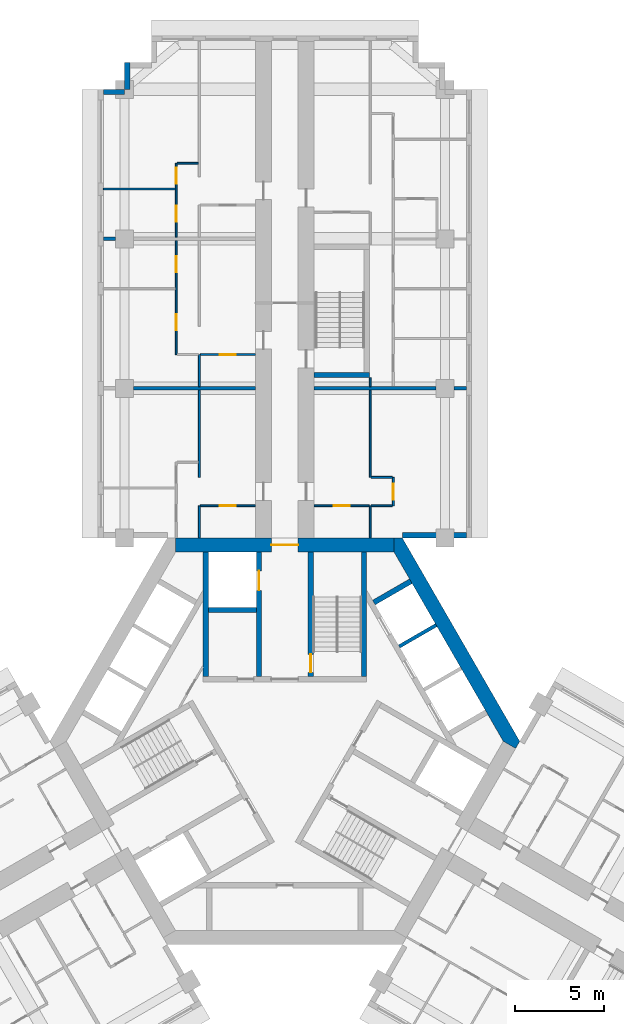
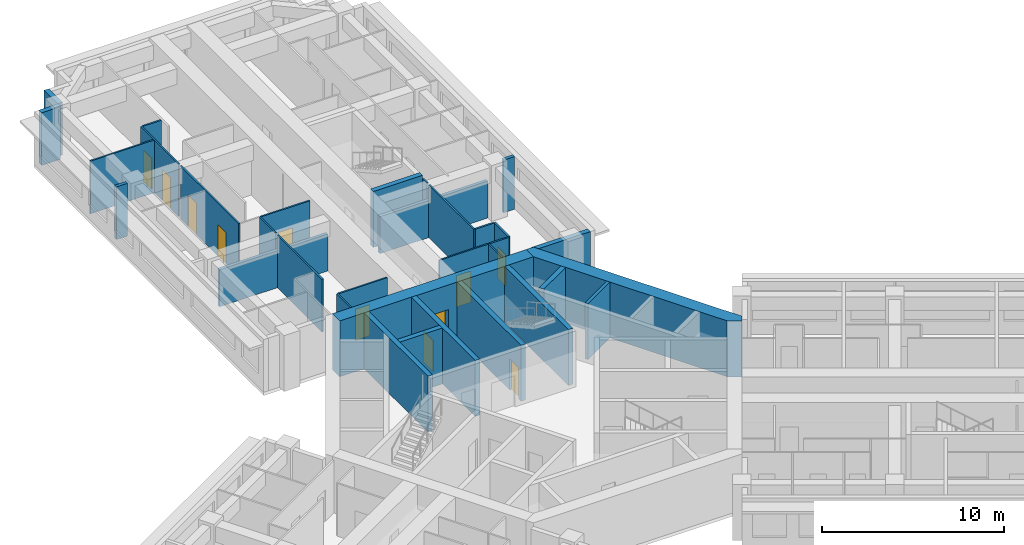
# One storey, part 9 of 14: 33 walls, 11 doors, 11 openings.
"""IFC4 building model written with IfcOpenShell, lengths in metres."""

from ifc_helpers import new_model, si_unit, direction, frame, frame_2d, origin, place, context, subcontext, project, spatial, polyline, rectangle, outline, extrude, material, layer, layer_set, type_object, element, fill, save


model = new_model("IFC4")

# Units and contexts
model_context = context("Model", 3, precision=1e-05, world=origin(), true_north=direction((0.0, 1.0)))
body_context = subcontext(model_context, "Body", "Model", "MODEL_VIEW")
ifc_project = project(units=[si_unit("LENGTHUNIT", "METRE"), si_unit("AREAUNIT", "SQUARE_METRE"), si_unit("VOLUMEUNIT", "CUBIC_METRE"), si_unit("PLANEANGLEUNIT", "RADIAN"), si_unit("MASSUNIT", "GRAM", prefix="KILO")], contexts=[model_context])

# Site, building, storey
site_placement = place(None, origin())
site = spatial("IfcSite", under=ifc_project, at=site_placement, CompositionType="ELEMENT")
building_placement = place(site_placement, origin())
building = spatial("IfcBuilding", under=site, at=building_placement, Name="Impinga Residences", CompositionType="ELEMENT")
storey_placement = place(building_placement, frame((0.0, 0.0, 158.5)))
storey = spatial("IfcBuildingStorey", under=building, at=storey_placement, Name="L39", CompositionType="ELEMENT", Elevation=158.5)

# Walls
ifc_material_1 = material(Name="Terracotta rainscreen on blockwork", Category="masonry")
ifc_layer_1 = layer(ifc_material_1, 0.300048828125)
ifc_layer_set_1 = layer_set([ifc_layer_1], Name="EW1 external wall, terracotta rainscreen on blockwork 300")
wall_type_1 = type_object("IfcWallType", Name="EW1 external wall, terracotta rainscreen on blockwork 300", PredefinedType="SOLIDWALL", material=ifc_layer_set_1)
wall_1_placement = place(storey_placement, frame((-10.199951171875, 36.4814453125, 0.0), z_axis=(0.0, 0.0, 1.0), x_axis=(1.0, 0.0, 0.0)))
element("IfcWall", 1, at=wall_1_placement, inside=storey, type_object=wall_type_1, Name="External wall EW1 L39", PredefinedType="SOLIDWALL", context=body_context, shape_type="SweptSolid", body=[
    extrude(rectangle(XDim=1.199951171875, YDim=0.300048828125, at=frame_2d((0.60009765625, 0.0))), origin(), (0.0, 0.0, 1.0), 3.530029296875),
])
wall_2_placement = place(storey_placement, frame((-8.85009765625, 36.636474609375, 0.0), z_axis=(0.0, 0.0, 1.0), x_axis=(0.0, 1.0, 0.0)))
element("IfcWall", 2, at=wall_2_placement, inside=storey, type_object=wall_type_1, Name="External wall EW1 L39", PredefinedType="SOLIDWALL", context=body_context, shape_type="SweptSolid", body=[
    extrude(rectangle(XDim=1.4951171875, YDim=0.300048828125, at=frame_2d((0.74755859375, 0.0))), origin(), (0.0, 0.0, 1.0), 3.530029296875),
])
wall_3_placement = place(storey_placement, frame((10.199951171875, 11.58154296875, 0.0), z_axis=(0.0, 0.0, 1.0), x_axis=(-1.0, 0.0, 0.0)))
element("IfcWall", 3, at=wall_3_placement, inside=storey, type_object=wall_type_1, Name="External wall EW1 L39", PredefinedType="SOLIDWALL", context=body_context, shape_type="SweptSolid", body=[
    extrude(rectangle(XDim=3.599853515625, YDim=0.300048828125, at=frame_2d((1.7998046875, 0.0))), origin(), (0.0, 0.0, 1.0), 3.530029296875),
])
ifc_material_2 = material(Name="Gypsum board on steel studs", Category="steel")
ifc_layer_2 = layer(ifc_material_2, 0.10009765625)
ifc_layer_set_2 = layer_set([ifc_layer_2], Name="Gypsum board on steel studs")
wall_type_2 = type_object("IfcWallType", Name="IP1 partition 100", PredefinedType="PARTITIONING", material=ifc_layer_set_2)
wall_4_placement = place(storey_placement, frame((-4.800048828125, 11.431640625, 0.0), z_axis=(0.0, 0.0, 1.0), x_axis=(0.0, 1.0, 0.0)))
element("IfcWall", 4, at=wall_4_placement, inside=storey, type_object=wall_type_2, Name="Partition L39-NA1:DIV0", PredefinedType="PARTITIONING", context=body_context, shape_type="SweptSolid", body=[
    extrude(rectangle(XDim=1.7998046875, YDim=0.10009765625, at=frame_2d((0.89990234375, 0.0))), origin(), (0.0, 0.0, 1.0), 3.530029296875),
])
wall_5_placement = place(storey_placement, frame((-4.800048828125, 14.83154296875, 0.0), z_axis=(0.0, 0.0, 1.0), x_axis=(0.0, 1.0, 0.0)))
element("IfcWall", 5, at=wall_5_placement, inside=storey, type_object=wall_type_2, Name="Partition L39-NA1:DIV1", PredefinedType="PARTITIONING", context=body_context, shape_type="SweptSolid", body=[
    extrude(rectangle(XDim=4.89990234375, YDim=0.10009765625, at=frame_2d((2.449951171875, 0.0))), origin(), (0.0, 0.0, 1.0), 3.530029296875),
])

# Wall, opening, door
wall_6_placement = place(storey_placement, frame((-1.64990234375, 13.2314453125, 0.0), z_axis=(0.0, 0.0, 1.0), x_axis=(-1.0, 0.0, 0.0)))
wall_6 = element("IfcWall", 6, at=wall_6_placement, inside=storey, type_object=wall_type_2, Name="Partition L39-NA1:IB1", PredefinedType="PARTITIONING", context=body_context, shape_type="SweptSolid", body=[
    extrude(rectangle(XDim=3.10009765625, YDim=0.10009765625, at=frame_2d((1.550048828125, 0.0))), origin(), (0.0, 0.0, 1.0), 3.530029296875),
])
opening_1_placement = place(wall_6_placement, frame((1.10009765625, 0.0, 0.0)))
opening_1 = element("IfcOpeningElement", 7, at=opening_1_placement, cuts=wall_6, Name="Opening D2", PredefinedType="OPENING", context=body_context, shape_type="SweptSolid", body=[
    extrude(rectangle(XDim=0.89990234375, YDim=2.10009765625, at=frame_2d((0.449951171875, 1.050048828125))), frame((0.0, 0.06005859375, 0.0), z_axis=(0.0, -1.0, 0.0), x_axis=(1.0, 0.0, 0.0)), (0.0, 0.0, 1.0), 0.1201171875),
])
ifc_material_3 = material(Name="Timber door set", Category="wood")
door_type_1 = type_object("IfcDoorType", Name="D2 internal door 900x2100", OperationType="SINGLE_SWING_LEFT", PredefinedType="DOOR", material=ifc_material_3)
door_1_placement = place(opening_1_placement, origin())
door_1 = element("IfcDoor", 8, at=door_1_placement, inside=storey, type_object=door_type_1, Name="Apartment L39-NA1 bathroom door", OperationType="SINGLE_SWING_LEFT", OverallHeight=2.10009765625, OverallWidth=0.89990234375, PredefinedType="DOOR", context=body_context, shape_type="SweptSolid", body=[
    extrude(rectangle(XDim=0.89990234375, YDim=2.10009765625, at=frame_2d((0.449951171875, 1.050048828125))), frame((0.0, 0.02490234375, 0.0), z_axis=(0.0, -1.0, 0.0), x_axis=(1.0, 0.0, 0.0)), (0.0, 0.0, 1.0), 0.050048828125),
])
fill(opening_1, door_1)

# Wall
wall_7_placement = place(storey_placement, frame((-4.800048828125, 19.931640625, 0.0), z_axis=(0.0, 0.0, 1.0), x_axis=(0.0, 1.0, 0.0)))
element("IfcWall", 9, at=wall_7_placement, inside=storey, type_object=wall_type_2, Name="Partition L39-NA2:DIV0", PredefinedType="PARTITIONING", context=body_context, shape_type="SweptSolid", body=[
    extrude(rectangle(XDim=1.7998046875, YDim=0.10009765625, at=frame_2d((0.89990234375, 0.0))), origin(), (0.0, 0.0, 1.0), 3.530029296875),
])

# Wall, openings, doors
wall_8_placement = place(storey_placement, frame((-6.10009765625, 21.7314453125, 0.0), z_axis=(0.0, 0.0, 1.0), x_axis=(0.0, 1.0, 0.0)))
wall_8 = element("IfcWall", 10, at=wall_8_placement, inside=storey, type_object=wall_type_2, Name="Partition L39-NA2:STRIP", PredefinedType="PARTITIONING", context=body_context, shape_type="SweptSolid", body=[
    extrude(rectangle(XDim=6.400146484375, YDim=0.10009765625, at=frame_2d((3.2001953125, 0.0))), origin(), (0.0, 0.0, 1.0), 3.530029296875),
])
opening_2_placement = place(wall_8_placement, frame((1.375, 0.0, 0.0)))
opening_2 = element("IfcOpeningElement", 11, at=opening_2_placement, cuts=wall_8, Name="Opening D2", PredefinedType="OPENING", context=body_context, shape_type="SweptSolid", body=[
    extrude(rectangle(XDim=0.89990234375, YDim=2.10009765625, at=frame_2d((0.449951171875, 1.050048828125))), frame((0.0, 0.06005859375, 0.0), z_axis=(0.0, -1.0, 0.0), x_axis=(1.0, 0.0, 0.0)), (0.0, 0.0, 1.0), 0.1201171875),
])
opening_3_placement = place(wall_8_placement, frame((4.625, 0.0, 0.0)))
opening_3 = element("IfcOpeningElement", 12, at=opening_3_placement, cuts=wall_8, Name="Opening D2", PredefinedType="OPENING", context=body_context, shape_type="SweptSolid", body=[
    extrude(rectangle(XDim=0.89990234375, YDim=2.10009765625, at=frame_2d((0.449951171875, 1.050048828125))), frame((0.0, 0.06005859375, 0.0), z_axis=(0.0, -1.0, 0.0), x_axis=(1.0, 0.0, 0.0)), (0.0, 0.0, 1.0), 0.1201171875),
])
door_2_placement = place(opening_2_placement, origin())
door_2 = element("IfcDoor", 13, at=door_2_placement, inside=storey, type_object=door_type_1, Name="Apartment L39-NA2 room door", OperationType="SINGLE_SWING_LEFT", OverallHeight=2.10009765625, OverallWidth=0.89990234375, PredefinedType="DOOR", context=body_context, shape_type="SweptSolid", body=[
    extrude(rectangle(XDim=0.89990234375, YDim=2.10009765625, at=frame_2d((0.449951171875, 1.050048828125))), frame((0.0, 0.02490234375, 0.0), z_axis=(0.0, -1.0, 0.0), x_axis=(1.0, 0.0, 0.0)), (0.0, 0.0, 1.0), 0.050048828125),
])
fill(opening_2, door_2)
door_3_placement = place(opening_3_placement, origin())
door_3 = element("IfcDoor", 14, at=door_3_placement, inside=storey, type_object=door_type_1, Name="Apartment L39-NA2 room door", OperationType="SINGLE_SWING_RIGHT", OverallHeight=2.10009765625, OverallWidth=0.89990234375, PredefinedType="DOOR", context=body_context, shape_type="SweptSolid", body=[
    extrude(rectangle(XDim=0.89990234375, YDim=2.10009765625, at=frame_2d((0.449951171875, 1.050048828125))), frame((0.0, 0.02490234375, 0.0), z_axis=(0.0, -1.0, 0.0), x_axis=(1.0, 0.0, 0.0)), (0.0, 0.0, 1.0), 0.050048828125),
])
fill(opening_3, door_3)

# Wall, opening, door
wall_9_placement = place(storey_placement, frame((-1.64990234375, 21.7314453125, 0.0), z_axis=(0.0, 0.0, 1.0), x_axis=(-1.0, 0.0, 0.0)))
wall_9 = element("IfcWall", 15, at=wall_9_placement, inside=storey, type_object=wall_type_2, Name="Partition L39-NA2:IB1", PredefinedType="PARTITIONING", context=body_context, shape_type="SweptSolid", body=[
    extrude(rectangle(XDim=3.10009765625, YDim=0.10009765625, at=frame_2d((1.550048828125, 0.0))), origin(), (0.0, 0.0, 1.0), 3.530029296875),
])
opening_4_placement = place(wall_9_placement, frame((1.10009765625, 0.0, 0.0)))
opening_4 = element("IfcOpeningElement", 16, at=opening_4_placement, cuts=wall_9, Name="Opening D2", PredefinedType="OPENING", context=body_context, shape_type="SweptSolid", body=[
    extrude(rectangle(XDim=0.89990234375, YDim=2.10009765625, at=frame_2d((0.449951171875, 1.050048828125))), frame((0.0, 0.06005859375, 0.0), z_axis=(0.0, -1.0, 0.0), x_axis=(1.0, 0.0, 0.0)), (0.0, 0.0, 1.0), 0.1201171875),
])
door_4_placement = place(opening_4_placement, origin())
door_4 = element("IfcDoor", 17, at=door_4_placement, inside=storey, type_object=door_type_1, Name="Apartment L39-NA2 bathroom door", OperationType="SINGLE_SWING_LEFT", OverallHeight=2.10009765625, OverallWidth=0.89990234375, PredefinedType="DOOR", context=body_context, shape_type="SweptSolid", body=[
    extrude(rectangle(XDim=0.89990234375, YDim=2.10009765625, at=frame_2d((0.449951171875, 1.050048828125))), frame((0.0, 0.02490234375, 0.0), z_axis=(0.0, -1.0, 0.0), x_axis=(1.0, 0.0, 0.0)), (0.0, 0.0, 1.0), 0.050048828125),
])
fill(opening_4, door_4)

# Wall, openings, doors
wall_10_placement = place(storey_placement, frame((-6.10009765625, 28.33154296875, 0.0), z_axis=(0.0, 0.0, 1.0), x_axis=(0.0, 1.0, 0.0)))
wall_10 = element("IfcWall", 18, at=wall_10_placement, inside=storey, type_object=wall_type_2, Name="Partition L39-NA3:STRIP", PredefinedType="PARTITIONING", context=body_context, shape_type="SweptSolid", body=[
    extrude(rectangle(XDim=4.14990234375, YDim=0.10009765625, at=frame_2d((2.074951171875, 0.0))), origin(), (0.0, 0.0, 1.0), 3.530029296875),
])
opening_5_placement = place(wall_10_placement, frame((0.875, 0.0, 0.0)))
opening_5 = element("IfcOpeningElement", 19, at=opening_5_placement, cuts=wall_10, Name="Opening D2", PredefinedType="OPENING", context=body_context, shape_type="SweptSolid", body=[
    extrude(rectangle(XDim=0.89990234375, YDim=2.10009765625, at=frame_2d((0.449951171875, 1.050048828125))), frame((0.0, 0.06005859375, 0.0), z_axis=(0.0, -1.0, 0.0), x_axis=(1.0, 0.0, 0.0)), (0.0, 0.0, 1.0), 0.1201171875),
])
opening_6_placement = place(wall_10_placement, frame((3.0, 0.0, 0.0)))
opening_6 = element("IfcOpeningElement", 20, at=opening_6_placement, cuts=wall_10, Name="Opening D2", PredefinedType="OPENING", context=body_context, shape_type="SweptSolid", body=[
    extrude(rectangle(XDim=0.89990234375, YDim=2.10009765625, at=frame_2d((0.449951171875, 1.050048828125))), frame((0.0, 0.06005859375, 0.0), z_axis=(0.0, -1.0, 0.0), x_axis=(1.0, 0.0, 0.0)), (0.0, 0.0, 1.0), 0.1201171875),
])
door_5_placement = place(opening_5_placement, origin())
door_5 = element("IfcDoor", 21, at=door_5_placement, inside=storey, type_object=door_type_1, Name="Apartment L39-NA3 room door", OperationType="SINGLE_SWING_LEFT", OverallHeight=2.10009765625, OverallWidth=0.89990234375, PredefinedType="DOOR", context=body_context, shape_type="SweptSolid", body=[
    extrude(rectangle(XDim=0.89990234375, YDim=2.10009765625, at=frame_2d((0.449951171875, 1.050048828125))), frame((0.0, 0.02490234375, 0.0), z_axis=(0.0, -1.0, 0.0), x_axis=(1.0, 0.0, 0.0)), (0.0, 0.0, 1.0), 0.050048828125),
])
fill(opening_5, door_5)
door_6_placement = place(opening_6_placement, origin())
door_6 = element("IfcDoor", 22, at=door_6_placement, inside=storey, type_object=door_type_1, Name="Apartment L39-NA3 room door", OperationType="SINGLE_SWING_RIGHT", OverallHeight=2.10009765625, OverallWidth=0.89990234375, PredefinedType="DOOR", context=body_context, shape_type="SweptSolid", body=[
    extrude(rectangle(XDim=0.89990234375, YDim=2.10009765625, at=frame_2d((0.449951171875, 1.050048828125))), frame((0.0, 0.02490234375, 0.0), z_axis=(0.0, -1.0, 0.0), x_axis=(1.0, 0.0, 0.0)), (0.0, 0.0, 1.0), 0.050048828125),
])
fill(opening_6, door_6)

# Walls
wall_11_placement = place(storey_placement, frame((-4.85009765625, 32.4814453125, 0.0), z_axis=(0.0, 0.0, 1.0), x_axis=(-1.0, 0.0, 0.0)))
element("IfcWall", 23, at=wall_11_placement, inside=storey, type_object=wall_type_2, Name="Partition L39-NA3:SE1", PredefinedType="PARTITIONING", context=body_context, shape_type="SweptSolid", body=[
    extrude(rectangle(XDim=1.199951171875, YDim=0.10009765625, at=frame_2d((0.60009765625, 0.0))), origin(), (0.0, 0.0, 1.0), 3.530029296875),
])
wall_12_placement = place(storey_placement, frame((-6.14990234375, 31.031494140625, 0.0), z_axis=(0.0, 0.0, 1.0), x_axis=(-1.0, 0.0, 0.0)))
element("IfcWall", 24, at=wall_12_placement, inside=storey, type_object=wall_type_2, Name="Partition L39-NA3:OB1", PredefinedType="PARTITIONING", context=body_context, shape_type="SweptSolid", body=[
    extrude(rectangle(XDim=4.050048828125, YDim=0.10009765625, at=frame_2d((2.02490234375, 0.0))), origin(), (0.0, 0.0, 1.0), 3.530029296875),
])
wall_13_placement = place(storey_placement, frame((4.800048828125, 11.431640625, 0.0), z_axis=(0.0, 0.0, 1.0), x_axis=(0.0, 1.0, 0.0)))
element("IfcWall", 25, at=wall_13_placement, inside=storey, type_object=wall_type_2, Name="Partition L39-NF1:DIV0", PredefinedType="PARTITIONING", context=body_context, shape_type="SweptSolid", body=[
    extrude(rectangle(XDim=1.7998046875, YDim=0.10009765625, at=frame_2d((0.89990234375, 0.0))), origin(), (0.0, 0.0, 1.0), 3.530029296875),
])
wall_14_placement = place(storey_placement, frame((4.800048828125, 14.83154296875, 0.0), z_axis=(0.0, 0.0, 1.0), x_axis=(0.0, 1.0, 0.0)))
element("IfcWall", 26, at=wall_14_placement, inside=storey, type_object=wall_type_2, Name="Partition L39-NF1:DIV1", PredefinedType="PARTITIONING", context=body_context, shape_type="SweptSolid", body=[
    extrude(rectangle(XDim=4.89990234375, YDim=0.10009765625, at=frame_2d((2.449951171875, 0.0))), origin(), (0.0, 0.0, 1.0), 3.530029296875),
])

# Wall, opening, door
wall_15_placement = place(storey_placement, frame((6.10009765625, 13.2314453125, 0.0), z_axis=(0.0, 0.0, 1.0), x_axis=(0.0, 1.0, 0.0)))
wall_15 = element("IfcWall", 27, at=wall_15_placement, inside=storey, type_object=wall_type_2, Name="Partition L39-NF1:STRIP", PredefinedType="PARTITIONING", context=body_context, shape_type="SweptSolid", body=[
    extrude(rectangle(XDim=1.60009765625, YDim=0.10009765625, at=frame_2d((0.800048828125, 0.0))), origin(), (0.0, 0.0, 1.0), 3.530029296875),
])
opening_7_placement = place(wall_15_placement, frame((0.35009765625, 0.0, 0.0)))
opening_7 = element("IfcOpeningElement", 28, at=opening_7_placement, cuts=wall_15, Name="Opening D2", PredefinedType="OPENING", context=body_context, shape_type="SweptSolid", body=[
    extrude(rectangle(XDim=0.89990234375, YDim=2.10009765625, at=frame_2d((0.449951171875, 1.050048828125))), frame((0.0, 0.06005859375, 0.0), z_axis=(0.0, -1.0, 0.0), x_axis=(1.0, 0.0, 0.0)), (0.0, 0.0, 1.0), 0.1201171875),
])
door_7_placement = place(opening_7_placement, origin())
door_7 = element("IfcDoor", 29, at=door_7_placement, inside=storey, type_object=door_type_1, Name="Apartment L39-NF1 room door", OperationType="SINGLE_SWING_LEFT", OverallHeight=2.10009765625, OverallWidth=0.89990234375, PredefinedType="DOOR", context=body_context, shape_type="SweptSolid", body=[
    extrude(rectangle(XDim=0.89990234375, YDim=2.10009765625, at=frame_2d((0.449951171875, 1.050048828125))), frame((0.0, 0.02490234375, 0.0), z_axis=(0.0, -1.0, 0.0), x_axis=(1.0, 0.0, 0.0)), (0.0, 0.0, 1.0), 0.050048828125),
])
fill(opening_7, door_7)

# Walls
for number, where, z_axis, x_axis, name in (
    (30, (4.85009765625, 13.2314453125, 0.0), (0.0, 0.0, 1.0), (1.0, 0.0, 0.0), "Partition L39-NF1:SE0"),
    (31, (4.85009765625, 14.83154296875, 0.0), (0.0, 0.0, 1.0), (1.0, 0.0, 0.0), "Partition L39-NF1:SE1"),
):
    element("IfcWall", number, at=place(storey_placement, frame(where, z_axis=z_axis, x_axis=x_axis)), inside=storey, type_object=wall_type_2, Name=name, PredefinedType="PARTITIONING", context=body_context, shape_type="SweptSolid", body=[
        extrude(rectangle(XDim=1.199951171875, YDim=0.10009765625, at=frame_2d((0.60009765625, 0.0))), origin(), (0.0, 0.0, 1.0), 3.530029296875),
    ])

# Wall, opening, door
wall_16_placement = place(storey_placement, frame((1.64990234375, 13.2314453125, 0.0), z_axis=(0.0, 0.0, 1.0), x_axis=(1.0, 0.0, 0.0)))
wall_16 = element("IfcWall", 32, at=wall_16_placement, inside=storey, type_object=wall_type_2, Name="Partition L39-NF1:IB1", PredefinedType="PARTITIONING", context=body_context, shape_type="SweptSolid", body=[
    extrude(rectangle(XDim=3.10009765625, YDim=0.10009765625, at=frame_2d((1.550048828125, 0.0))), origin(), (0.0, 0.0, 1.0), 3.530029296875),
])
opening_8_placement = place(wall_16_placement, frame((1.10009765625, 0.0, 0.0)))
opening_8 = element("IfcOpeningElement", 33, at=opening_8_placement, cuts=wall_16, Name="Opening D2", PredefinedType="OPENING", context=body_context, shape_type="SweptSolid", body=[
    extrude(rectangle(XDim=0.89990234375, YDim=2.10009765625, at=frame_2d((0.449951171875, 1.050048828125))), frame((0.0, 0.06005859375, 0.0), z_axis=(0.0, -1.0, 0.0), x_axis=(1.0, 0.0, 0.0)), (0.0, 0.0, 1.0), 0.1201171875),
])
door_8_placement = place(opening_8_placement, origin())
door_8 = element("IfcDoor", 34, at=door_8_placement, inside=storey, type_object=door_type_1, Name="Apartment L39-NF1 bathroom door", OperationType="SINGLE_SWING_LEFT", OverallHeight=2.10009765625, OverallWidth=0.89990234375, PredefinedType="DOOR", context=body_context, shape_type="SweptSolid", body=[
    extrude(rectangle(XDim=0.89990234375, YDim=2.10009765625, at=frame_2d((0.449951171875, 1.050048828125))), frame((0.0, 0.02490234375, 0.0), z_axis=(0.0, -1.0, 0.0), x_axis=(1.0, 0.0, 0.0)), (0.0, 0.0, 1.0), 0.050048828125),
])
fill(opening_8, door_8)

# Walls
wall_17_placement = place(storey_placement, frame((4.800048828125, 19.931640625, 0.0), z_axis=(0.0, 0.0, 1.0), x_axis=(0.0, 1.0, 0.0)))
element("IfcWall", 35, at=wall_17_placement, inside=storey, type_object=wall_type_2, Name="Partition L39-NF2:DIV0", PredefinedType="PARTITIONING", context=body_context, shape_type="SweptSolid", body=[
    extrude(rectangle(XDim=0.5, YDim=0.10009765625, at=frame_2d((0.25, 0.0))), origin(), (0.0, 0.0, 1.0), 3.530029296875),
])
ifc_material_4 = material(Name="Concrete blockwork", Category="masonry")
ifc_layer_3 = layer(ifc_material_4, 0.199951171875)
ifc_layer_set_3 = layer_set([ifc_layer_3], Name="PW1 party wall between apartments 200")
wall_type_3 = type_object("IfcWallType", Name="PW1 party wall between apartments 200", PredefinedType="SOLIDWALL", material=ifc_layer_set_3)
wall_18_placement = place(storey_placement, frame((-1.64990234375, 19.83154296875, 0.0), z_axis=(0.0, 0.0, 1.0), x_axis=(-1.0, 0.0, 0.0)))
element("IfcWall", 36, at=wall_18_placement, inside=storey, type_object=wall_type_3, Name="Party wall between apartments L39-NA1:PARTY", PredefinedType="SOLIDWALL", context=body_context, shape_type="SweptSolid", body=[
    extrude(rectangle(XDim=6.85009765625, YDim=0.199951171875, at=frame_2d((3.425048828125, 0.0))), origin(), (0.0, 0.0, 1.0), 2.47998046875),
])
wall_19_placement = place(storey_placement, frame((-9.5, 28.2314453125, 0.0), z_axis=(0.0, 0.0, 1.0), x_axis=(-1.0, 0.0, 0.0)))
element("IfcWall", 37, at=wall_19_placement, inside=storey, type_object=wall_type_3, Name="Party wall between apartments L39-NA2:PARTYb", PredefinedType="SOLIDWALL", context=body_context, shape_type="SweptSolid", body=[
    extrude(rectangle(XDim=0.699951171875, YDim=0.199951171875, at=frame_2d((0.35009765625, 0.0))), origin(), (0.0, 0.0, 1.0), 3.530029296875),
])
wall_20_placement = place(storey_placement, frame((1.64990234375, 19.83154296875, 0.0), z_axis=(0.0, 0.0, 1.0), x_axis=(1.0, 0.0, 0.0)))
element("IfcWall", 38, at=wall_20_placement, inside=storey, type_object=wall_type_3, Name="Party wall between apartments L39-NF1:PARTY", PredefinedType="SOLIDWALL", context=body_context, shape_type="SweptSolid", body=[
    extrude(rectangle(XDim=6.85009765625, YDim=0.199951171875, at=frame_2d((3.425048828125, 0.0))), origin(), (0.0, 0.0, 1.0), 2.47998046875),
])
wall_21_placement = place(storey_placement, frame((9.5, 19.83154296875, 0.0), z_axis=(0.0, 0.0, 1.0), x_axis=(1.0, 0.0, 0.0)))
element("IfcWall", 39, at=wall_21_placement, inside=storey, type_object=wall_type_3, Name="Party wall between apartments L39-NF1:PARTYb", PredefinedType="SOLIDWALL", context=body_context, shape_type="SweptSolid", body=[
    extrude(rectangle(XDim=0.699951171875, YDim=0.199951171875, at=frame_2d((0.35009765625, 0.0))), origin(), (0.0, 0.0, 1.0), 3.530029296875),
])
ifc_material_5 = material(Name="Concrete C60/75", Category="concrete")
ifc_layer_4 = layer(ifc_material_5, 0.300048828125)
ifc_layer_set_4 = layer_set([ifc_layer_4], Name="Concrete C60/75")
wall_type_4 = type_object("IfcWallType", Name="SE1 wing stair enclosure wall 300", PredefinedType="SOLIDWALL", material=ifc_layer_set_4)
wall_22_placement = place(storey_placement, frame((1.64990234375, 20.58154296875, 0.0), z_axis=(0.0, 0.0, 1.0), x_axis=(1.0, 0.0, 0.0)))
element("IfcWall", 40, at=wall_22_placement, inside=storey, type_object=wall_type_4, Name="Stair enclosure wall SE1 N END0 L39", PredefinedType="SOLIDWALL", context=body_context, shape_type="SweptSolid", body=[
    extrude(rectangle(XDim=3.10009765625, YDim=0.300048828125, at=frame_2d((1.550048828125, 0.0))), origin(), (0.0, 0.0, 1.0), 3.75),
])

# Wall, opening, door
ifc_layer_5 = layer(ifc_material_5, 0.800048828125)
ifc_layer_set_5 = layer_set([ifc_layer_5], Name="Concrete C60/75")
wall_type_5 = type_object("IfcWallType", Name="SW2 core wall 800", PredefinedType="SHEAR", material=ifc_layer_set_5)
wall_23_placement = place(storey_placement, frame((-6.13818359375, 11.031494140625, 0.0), z_axis=(0.0, 0.0, 1.0), x_axis=(1.0, 0.0, 0.0)))
wall_23 = element("IfcWall", 41, at=wall_23_placement, inside=storey, type_object=wall_type_5, Name="Core wall SW2 N:FACE L39", PredefinedType="SHEAR", context=body_context, shape_type="SweptSolid", body=[
    extrude(rectangle(XDim=12.2763671875, YDim=0.800048828125, at=frame_2d((6.13818359375, 0.0))), origin(), (0.0, 0.0, 1.0), 3.75),
])
opening_9_placement = place(wall_23_placement, frame((5.38818359375, 0.0, 0.0)))
opening_9 = element("IfcOpeningElement", 42, at=opening_9_placement, cuts=wall_23, Name="Opening D4", PredefinedType="OPENING", context=body_context, shape_type="SweptSolid", body=[
    extrude(rectangle(XDim=1.5, YDim=2.10009765625, at=frame_2d((0.75, 1.050048828125))), frame((0.0, 0.409912109375, 0.0), z_axis=(0.0, -1.0, 0.0), x_axis=(1.0, 0.0, 0.0)), (0.0, 0.0, 1.0), 0.820068359375),
])
door_type_2 = type_object("IfcDoorType", Name="D4 lobby door pair 1500x2100", OperationType="DOUBLE_DOOR_DOUBLE_SWING", PredefinedType="DOOR", material=ifc_material_3)
door_9_placement = place(opening_9_placement, origin())
door_9 = element("IfcDoor", 43, at=door_9_placement, inside=storey, type_object=door_type_2, Name="Lobby door N", OperationType="DOUBLE_DOOR_DOUBLE_SWING", OverallHeight=2.10009765625, OverallWidth=1.5, PredefinedType="DOOR", context=body_context, shape_type="SweptSolid", body=[
    extrude(rectangle(XDim=1.5, YDim=2.10009765625, at=frame_2d((0.75, 1.050048828125))), frame((0.0, 0.02490234375, 0.0), z_axis=(0.0, -1.0, 0.0), x_axis=(1.0, 0.0, 0.0)), (0.0, 0.0, 1.0), 0.050048828125),
])
fill(opening_9, door_9)

# Wall
wall_24_placement = place(storey_placement, origin())
element("IfcWall", 44, at=wall_24_placement, inside=storey, type_object=wall_type_5, Name="Core wall SW2 W:EXPOSED L39", PredefinedType="SHEAR", context=body_context, shape_type="SweptSolid", body=[
    extrude(outline(polyline([(13.199951171875, 0.0), (6.60009765625, 11.431640625), (6.13818359375, 11.431640625), (6.13818359375, 10.631591796875), (12.276123046875, 0.0), (12.968994140625, -0.39990234375), (13.199951171875, 0.0)])), origin(), (0.0, 0.0, 1.0), 3.75),
])

# Wall, opening, door
ifc_material_6 = material(Name="Concrete C70/85", Category="concrete")
ifc_layer_6 = layer(ifc_material_6, 0.300048828125)
ifc_layer_set_6 = layer_set([ifc_layer_6], Name="Concrete C70/85")
wall_type_6 = type_object("IfcWallType", Name="SW5 core inner wall, stairs, shafts and lobbies 300", PredefinedType="SHEAR", material=ifc_layer_set_6)
wall_25_placement = place(storey_placement, frame((1.449951171875, 3.6298828125, 0.0), z_axis=(0.0, 0.0, 1.0), x_axis=(0.0, 1.0, 0.0)))
wall_25 = element("IfcWall", 45, at=wall_25_placement, inside=storey, type_object=wall_type_6, Name="Core wall SW5 N:ST-IN L39", PredefinedType="SHEAR", context=body_context, shape_type="SweptSolid", body=[
    extrude(rectangle(XDim=7.001708984375, YDim=0.300048828125, at=frame_2d((3.5009765625, 0.0))), origin(), (0.0, 0.0, 1.0), 3.75),
])
opening_10_placement = place(wall_25_placement, frame((0.25, 0.0, 0.0)))
opening_10 = element("IfcOpeningElement", 46, at=opening_10_placement, cuts=wall_25, Name="Opening D5", PredefinedType="OPENING", context=body_context, shape_type="SweptSolid", body=[
    extrude(rectangle(XDim=1.0, YDim=2.10009765625, at=frame_2d((0.5, 1.050048828125))), frame((0.0, 0.159912109375, 0.0), z_axis=(0.0, -1.0, 0.0), x_axis=(1.0, 0.0, 0.0)), (0.0, 0.0, 1.0), 0.320068359375),
])
door_type_3 = type_object("IfcDoorType", Name="D5 stair door 1000x2100", OperationType="SINGLE_SWING_LEFT", PredefinedType="DOOR", material=ifc_material_3)
door_10_placement = place(opening_10_placement, origin())
door_10 = element("IfcDoor", 47, at=door_10_placement, inside=storey, type_object=door_type_3, Name="Stair door N", OperationType="SINGLE_SWING_LEFT", OverallHeight=2.10009765625, OverallWidth=1.0, PredefinedType="DOOR", context=body_context, shape_type="SweptSolid", body=[
    extrude(rectangle(XDim=1.0, YDim=2.10009765625, at=frame_2d((0.5, 1.050048828125))), frame((0.0, 0.02490234375, 0.0), z_axis=(0.0, -1.0, 0.0), x_axis=(1.0, 0.0, 0.0)), (0.0, 0.0, 1.0), 0.050048828125),
])
fill(opening_10, door_10)

# Wall
wall_26_placement = place(storey_placement, frame((4.449951171875, 3.6298828125, 0.0), z_axis=(0.0, 0.0, 1.0), x_axis=(0.0, 1.0, 0.0)))
element("IfcWall", 48, at=wall_26_placement, inside=storey, type_object=wall_type_6, Name="Core wall SW5 N:ST-OUT L39", PredefinedType="SHEAR", context=body_context, shape_type="SweptSolid", body=[
    extrude(rectangle(XDim=7.001708984375, YDim=0.300048828125, at=frame_2d((3.5009765625, 0.0))), origin(), (0.0, 0.0, 1.0), 3.75),
])

# Wall, opening, door
wall_27_placement = place(storey_placement, frame((-1.449951171875, 3.6298828125, 0.0), z_axis=(0.0, 0.0, 1.0), x_axis=(0.0, 1.0, 0.0)))
wall_27 = element("IfcWall", 49, at=wall_27_placement, inside=storey, type_object=wall_type_6, Name="Core wall SW5 N:FF-IN L39", PredefinedType="SHEAR", context=body_context, shape_type="SweptSolid", body=[
    extrude(rectangle(XDim=7.001708984375, YDim=0.300048828125, at=frame_2d((3.5009765625, 0.0))), origin(), (0.0, 0.0, 1.0), 3.75),
])
opening_11_placement = place(wall_27_placement, frame((4.85009765625, 0.0, 0.0)))
opening_11 = element("IfcOpeningElement", 50, at=opening_11_placement, cuts=wall_27, Name="Opening LD2", PredefinedType="OPENING", context=body_context, shape_type="SweptSolid", body=[
    extrude(rectangle(XDim=1.10009765625, YDim=2.10009765625, at=frame_2d((0.550048828125, 1.050048828125))), frame((0.0, 0.159912109375, 0.0), z_axis=(0.0, -1.0, 0.0), x_axis=(1.0, 0.0, 0.0)), (0.0, 0.0, 1.0), 0.320068359375),
])
ifc_material_7 = material(Name="Steel lift landing door", Category="steel")
door_type_4 = type_object("IfcDoorType", Name="LD2 firefighting lift landing door 1100x2100", OperationType="DOUBLE_DOOR_SLIDING", PredefinedType="DOOR", material=ifc_material_7)
door_11_placement = place(opening_11_placement, origin())
door_11 = element("IfcDoor", 51, at=door_11_placement, inside=storey, type_object=door_type_4, Name="Firefighting lift landing door F1", OperationType="DOUBLE_DOOR_SLIDING", OverallHeight=2.10009765625, OverallWidth=1.10009765625, PredefinedType="DOOR", context=body_context, shape_type="SweptSolid", body=[
    extrude(rectangle(XDim=1.10009765625, YDim=2.10009765625, at=frame_2d((0.550048828125, 1.050048828125))), frame((0.0, 0.02490234375, 0.0), z_axis=(0.0, -1.0, 0.0), x_axis=(1.0, 0.0, 0.0)), (0.0, 0.0, 1.0), 0.050048828125),
])
fill(opening_11, door_11)

# Walls
wall_28_placement = place(storey_placement, frame((-4.449951171875, 3.6298828125, 0.0), z_axis=(0.0, 0.0, 1.0), x_axis=(0.0, 1.0, 0.0)))
element("IfcWall", 52, at=wall_28_placement, inside=storey, type_object=wall_type_6, Name="Core wall SW5 N:FF-OUT L39", PredefinedType="SHEAR", context=body_context, shape_type="SweptSolid", body=[
    extrude(rectangle(XDim=7.001708984375, YDim=0.300048828125, at=frame_2d((3.5009765625, 0.0))), origin(), (0.0, 0.0, 1.0), 3.75),
])
wall_29_placement = place(storey_placement, frame((-4.300048828125, 7.3798828125, 0.0), z_axis=(0.0, 0.0, 1.0), x_axis=(1.0, 0.0, 0.0)))
element("IfcWall", 53, at=wall_29_placement, inside=storey, type_object=wall_type_6, Name="Core wall SW5 N:FF-RS L39", PredefinedType="SHEAR", context=body_context, shape_type="SweptSolid", body=[
    extrude(rectangle(XDim=2.699951171875, YDim=0.300048828125, at=frame_2d((1.35009765625, 0.0))), origin(), (0.0, 0.0, 1.0), 3.75),
])
wall_30_placement = place(storey_placement, frame((5.003662109375, 7.79638671875, 0.0), z_axis=(0.0, 0.0, 1.0), x_axis=(0.866050077142, 0.499957262057, 0.0)))
element("IfcWall", 54, at=wall_30_placement, inside=storey, type_object=wall_type_6, Name="Core wall SW5 W:BANK-L L39", PredefinedType="SHEAR", context=body_context, shape_type="SweptSolid", body=[
    extrude(rectangle(XDim=2.400146484375, YDim=0.300048828125, at=frame_2d((1.2001953125, 0.0))), origin(), (0.0, 0.0, 1.0), 3.75),
])
ifc_layer_7 = layer(ifc_material_6, 0.199951171875)
ifc_layer_set_7 = layer_set([ifc_layer_7], Name="Concrete C70/85")
wall_type_7 = type_object("IfcWallType", Name="SW6 lift shaft divider wall 200", PredefinedType="SHEAR", material=ifc_layer_set_7)
wall_31_placement = place(storey_placement, frame((6.4287109375, 5.328125, 0.0), z_axis=(0.0, 0.0, 1.0), x_axis=(0.865980596518, 0.500077600433, 0.0)))
element("IfcWall", 55, at=wall_31_placement, inside=storey, type_object=wall_type_7, Name="Core wall SW6 W:BANK-D1 L39", PredefinedType="SHEAR", context=body_context, shape_type="SweptSolid", body=[
    extrude(rectangle(XDim=2.39990234375, YDim=0.199951171875, at=frame_2d((1.199951171875, 0.0))), origin(), (0.0, 0.0, 1.0), 3.75),
])

save(model, "model.ifc")
